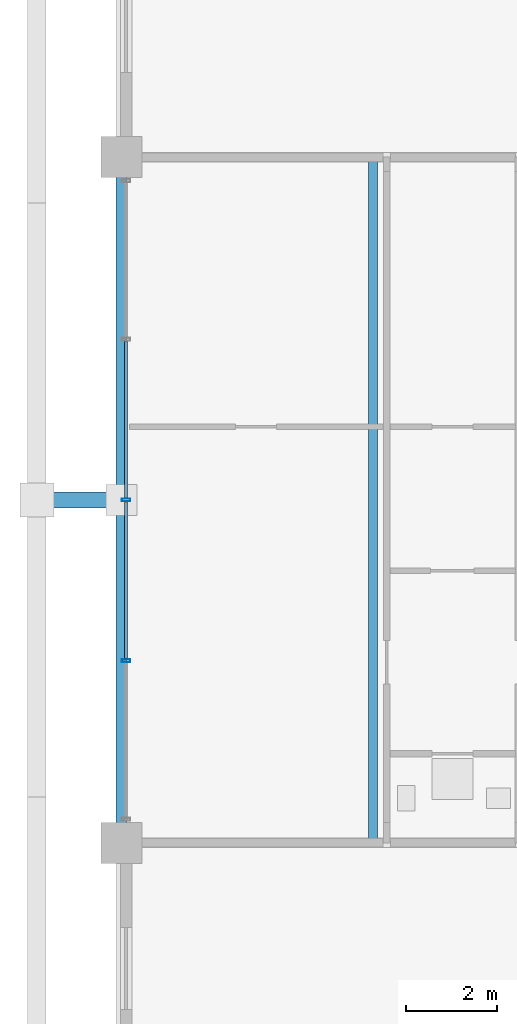
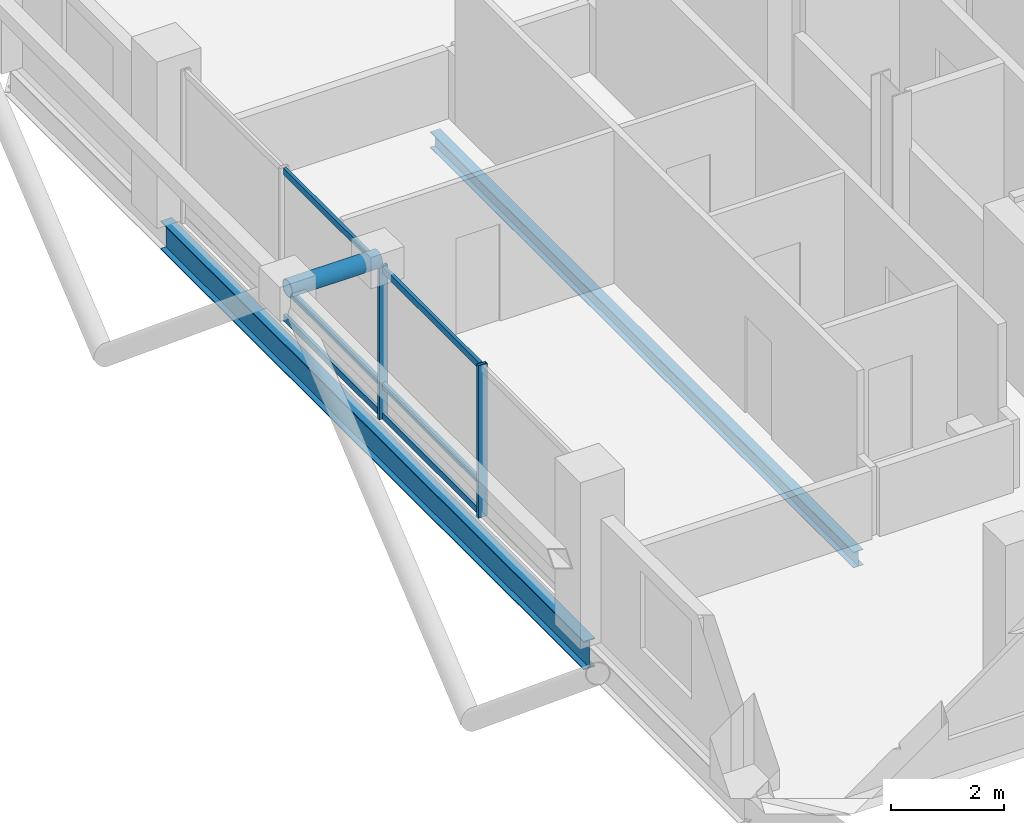
# One storey, part 8 of 25: 9 members, 2 beams, 1 element without a shape of its own.
"""IFC4 building model written with IfcOpenShell, lengths in metres."""

from ifc_helpers import new_model, si_unit, direction, frame, origin, origin_2d, place, context, subcontext, project, spatial, hollow_rectangle, hollow_circle, i_section, extrude, material, layer, layer_set, material_profile, profile_set, type_object, element, aggregate, save


model = new_model("IFC4")

# Units and contexts
model_context = context("Model", 3, precision=1e-05, world=origin(), true_north=direction((0.0, 1.0)))
body_context = subcontext(model_context, "Body", "Model", "MODEL_VIEW")
ifc_project = project(units=[si_unit("LENGTHUNIT", "METRE"), si_unit("AREAUNIT", "SQUARE_METRE"), si_unit("VOLUMEUNIT", "CUBIC_METRE"), si_unit("PLANEANGLEUNIT", "RADIAN"), si_unit("MASSUNIT", "GRAM", prefix="KILO")], contexts=[model_context])

# Site, building, storey
site_placement = place(None, origin())
site = spatial("IfcSite", under=ifc_project, at=site_placement, CompositionType="ELEMENT")
building_placement = place(site_placement, origin())
building = spatial("IfcBuilding", under=site, at=building_placement, Name="Barlavira Tower and Art Museum", CompositionType="ELEMENT")
storey_placement = place(building_placement, frame((0.0, 0.0, 301.5)))
storey = spatial("IfcBuildingStorey", under=building, at=storey_placement, Name="L79", CompositionType="ELEMENT", Elevation=301.5)

# Curtain wall, members
ifc_material_1 = material(Name="Low-iron coastal laminated glass", Category="glass")
ifc_layer = layer(ifc_material_1, 0.2099609375, Name="Low-iron coastal laminated glass")
ifc_layer_set = layer_set([ifc_layer], Name="Low-iron coastal laminated glass")
curtain_wall_type = type_object("IfcCurtainWallType", Name="Pale-Metal Unitised Curtain Wall Zone 4", PredefinedType="NOTDEFINED", material=ifc_layer_set)
curtain_wall_placement = place(storey_placement, origin())
curtain_wall = element("IfcCurtainWall", 1, at=curtain_wall_placement, inside=storey, type_object=curtain_wall_type, Name="L79 Curtain Wall CW4-L79-W-B3", PredefinedType="NOTDEFINED")
ifc_material_2 = material(Name="Pale anodised aluminium", Category="aluminium")
ifc_material_profile_1 = material_profile(ifc_material_2, hollow_rectangle(XDim=0.06494140625, YDim=0.179931640625, WallThickness=0.00390625, at=origin_2d()), Name="ALU-MULL 65x180x4")
ifc_profile_set_1 = profile_set([ifc_material_profile_1], Name="Pale anodised aluminium")
member_type_1 = type_object("IfcMemberType", Name="Curtain Wall Pale-Metal Mullion 65x180", PredefinedType="MULLION", material=ifc_profile_set_1)
member_1_placement = place(storey_placement, frame((-16.89990234375, 0.0, 0.0), z_axis=(0.0, 0.0, 1.0), x_axis=(0.0, -1.0, 0.0)))
member_1 = element("IfcMember", 2, at=member_1_placement, type_object=member_type_1, Name="CW4-L79-W-B3 Mullion 2", PredefinedType="MULLION", context=body_context, shape_type="SweptSolid", body=[
    extrude(hollow_rectangle(XDim=0.06494140625, YDim=0.179931640625, WallThickness=0.00390625, at=origin_2d()), origin(), (0.0, 0.0, 1.0), 3.300048828125),
])
member_2_placement = place(storey_placement, frame((-16.89990234375, -3.514892578125, 0.0), z_axis=(0.0, 0.0, 1.0), x_axis=(0.0, -1.0, 0.0)))
member_2 = element("IfcMember", 3, at=member_2_placement, type_object=member_type_1, Name="CW4-L79-W-B3 Mullion 3", PredefinedType="MULLION", context=body_context, shape_type="SweptSolid", body=[
    extrude(hollow_rectangle(XDim=0.06494140625, YDim=0.179931640625, WallThickness=0.00390625, at=origin_2d()), origin(), (0.0, 0.0, 1.0), 3.300048828125),
])
ifc_material_profile_2 = material_profile(ifc_material_2, hollow_rectangle(XDim=0.06494140625, YDim=0.139892578125, WallThickness=0.00390625, at=origin_2d()), Name="ALU-TRAN 65x140x4")
ifc_profile_set_2 = profile_set([ifc_material_profile_2], Name="Pale anodised aluminium")
member_type_2 = type_object("IfcMemberType", Name="Curtain Wall Pale-Metal Transom 65x140", PredefinedType="USERDEFINED", material=ifc_profile_set_2)
member_3_placement = place(storey_placement, frame((-16.89990234375, 3.469970703125, 0.070068359375), z_axis=(0.0, -1.0, 0.0), x_axis=(1.0, 0.0, 0.0)))
member_3 = element("IfcMember", 4, at=member_3_placement, type_object=member_type_2, Name="CW4-L79-W-B3 Transom 1.1", ObjectType="TRANSOM", PredefinedType="USERDEFINED", context=body_context, shape_type="SweptSolid", body=[
    extrude(hollow_rectangle(XDim=0.06494140625, YDim=0.139892578125, WallThickness=0.00390625, at=origin_2d()), origin(), (0.0, 0.0, 1.0), 3.425048828125),
])
member_4_placement = place(storey_placement, frame((-16.89990234375, 3.469970703125, 0.72607421875), z_axis=(0.0, -1.0, 0.0), x_axis=(1.0, 0.0, 0.0)))
member_4 = element("IfcMember", 5, at=member_4_placement, type_object=member_type_2, Name="CW4-L79-W-B3 Transom 1.2", ObjectType="TRANSOM", PredefinedType="USERDEFINED", context=body_context, shape_type="SweptSolid", body=[
    extrude(hollow_rectangle(XDim=0.06494140625, YDim=0.139892578125, WallThickness=0.00390625, at=origin_2d()), origin(), (0.0, 0.0, 1.0), 3.425048828125),
])
member_5_placement = place(storey_placement, frame((-16.89990234375, 3.469970703125, 3.22998046875), z_axis=(0.0, -1.0, 0.0), x_axis=(1.0, 0.0, 0.0)))
member_5 = element("IfcMember", 6, at=member_5_placement, type_object=member_type_2, Name="CW4-L79-W-B3 Transom 1.3", ObjectType="TRANSOM", PredefinedType="USERDEFINED", context=body_context, shape_type="SweptSolid", body=[
    extrude(hollow_rectangle(XDim=0.06494140625, YDim=0.139892578125, WallThickness=0.00390625, at=origin_2d()), origin(), (0.0, 0.0, 1.0), 3.425048828125),
])
member_6_placement = place(storey_placement, frame((-16.89990234375, -0.044921875, 0.070068359375), z_axis=(0.0, -1.0, 0.0), x_axis=(1.0, 0.0, 0.0)))
member_6 = element("IfcMember", 7, at=member_6_placement, type_object=member_type_2, Name="CW4-L79-W-B3 Transom 2.1", ObjectType="TRANSOM", PredefinedType="USERDEFINED", context=body_context, shape_type="SweptSolid", body=[
    extrude(hollow_rectangle(XDim=0.06494140625, YDim=0.139892578125, WallThickness=0.00390625, at=origin_2d()), origin(), (0.0, 0.0, 1.0), 3.425048828125),
])
member_7_placement = place(storey_placement, frame((-16.89990234375, -0.044921875, 0.72607421875), z_axis=(0.0, -1.0, 0.0), x_axis=(1.0, 0.0, 0.0)))
member_7 = element("IfcMember", 8, at=member_7_placement, type_object=member_type_2, Name="CW4-L79-W-B3 Transom 2.2", ObjectType="TRANSOM", PredefinedType="USERDEFINED", context=body_context, shape_type="SweptSolid", body=[
    extrude(hollow_rectangle(XDim=0.06494140625, YDim=0.139892578125, WallThickness=0.00390625, at=origin_2d()), origin(), (0.0, 0.0, 1.0), 3.425048828125),
])
member_8_placement = place(storey_placement, frame((-16.89990234375, -0.044921875, 3.22998046875), z_axis=(0.0, -1.0, 0.0), x_axis=(1.0, 0.0, 0.0)))
member_8 = element("IfcMember", 9, at=member_8_placement, type_object=member_type_2, Name="CW4-L79-W-B3 Transom 2.3", ObjectType="TRANSOM", PredefinedType="USERDEFINED", context=body_context, shape_type="SweptSolid", body=[
    extrude(hollow_rectangle(XDim=0.06494140625, YDim=0.139892578125, WallThickness=0.00390625, at=origin_2d()), origin(), (0.0, 0.0, 1.0), 3.425048828125),
])
aggregate(curtain_wall, [member_1, member_2, member_3, member_4, member_5, member_6, member_7, member_8])

# Member
ifc_material_3 = material(Name="Steel S355", Category="steel")
ifc_material_profile_3 = material_profile(ifc_material_3, hollow_circle(Radius=0.177734375, WallThickness=0.01611328125, at=origin_2d()), Name="CHS 355.6x16.0")
ifc_profile_set_3 = profile_set([ifc_material_profile_3], Name="Steel S355")
member_type_3 = type_object("IfcMemberType", Name="Pale-Metal Exoskeleton Tie Strut CHS 356x16 Steel S355", PredefinedType="STRUT", material=ifc_profile_set_3)
member_9_placement = place(storey_placement, frame((-18.85009765625, 0.0, 3.47998046875), z_axis=(1.0, 0.0, 0.0), x_axis=(0.0, 1.0, 0.0)))
element("IfcMember", 10, at=member_9_placement, inside=storey, type_object=member_type_3, Name="L79 Exoskeleton Top Tie Strut W2", PredefinedType="STRUT", context=body_context, shape_type="SweptSolid", body=[
    extrude(hollow_circle(Radius=0.177734375, WallThickness=0.01611328125, at=origin_2d()), origin(), (0.0, 0.0, 1.0), 1.85009765625),
])

# Beams
ifc_material_profile_4 = material_profile(ifc_material_3, i_section(OverallWidth=0.22998046875, OverallDepth=0.616943359375, WebThickness=0.01318359375, FlangeThickness=0.022216796875, at=origin_2d()), Name="W610x140.0")
ifc_profile_set_4 = profile_set([ifc_material_profile_4], Name="Steel S355")
beam_type_1 = type_object("IfcBeamType", Name="Upper Shaft Spandrel Edge Beam W610x140 Steel S355", PredefinedType="SPANDREL", material=ifc_profile_set_4)
beam_1_placement = place(storey_placement, frame((-17.0, -7.5, -0.528564453125), z_axis=(0.0, 1.0, 0.0), x_axis=(-1.0, 0.0, 0.0)))
element("IfcBeam", 11, at=beam_1_placement, inside=storey, type_object=beam_type_1, Name="L79 Spandrel 14", PredefinedType="SPANDREL", context=body_context, shape_type="SweptSolid", body=[
    extrude(i_section(OverallWidth=0.22998046875, OverallDepth=0.616943359375, WebThickness=0.01318359375, FlangeThickness=0.022216796875, at=origin_2d()), origin(), (0.0, 0.0, 1.0), 15.0),
])
ifc_material_profile_5 = material_profile(ifc_material_3, i_section(OverallWidth=0.202880859375, OverallDepth=0.346923828125, WebThickness=0.0078125, FlangeThickness=0.013427734375, at=origin_2d()), Name="W360x64.0")
ifc_profile_set_5 = profile_set([ifc_material_profile_5], Name="Steel S355")
beam_type_2 = type_object("IfcBeamType", Name="Zone 4 Composite Floor Joist W360x64 Steel S355", PredefinedType="JOIST", material=ifc_profile_set_5)
beam_2_placement = place(storey_placement, frame((-11.5, -7.5, -0.3935546875), z_axis=(0.0, 1.0, 0.0), x_axis=(-1.0, 0.0, 0.0)))
element("IfcBeam", 12, at=beam_2_placement, inside=storey, type_object=beam_type_2, Name="L79 Joist W1", PredefinedType="JOIST", context=body_context, shape_type="SweptSolid", body=[
    extrude(i_section(OverallWidth=0.202880859375, OverallDepth=0.346923828125, WebThickness=0.0078125, FlangeThickness=0.013427734375, at=origin_2d()), origin(), (0.0, 0.0, 1.0), 15.0),
])

save(model, "model.ifc")
